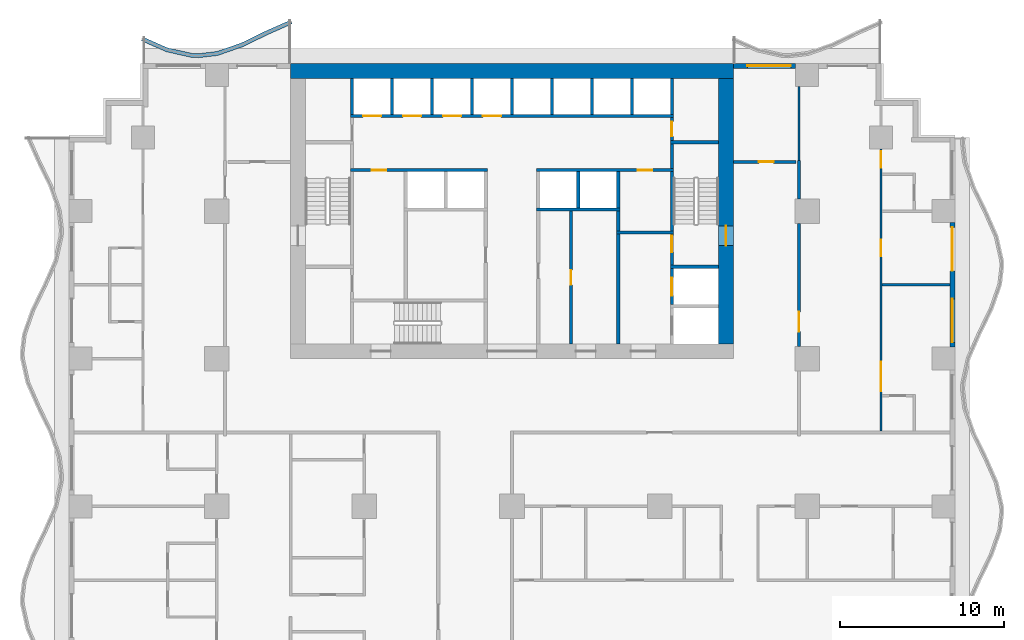
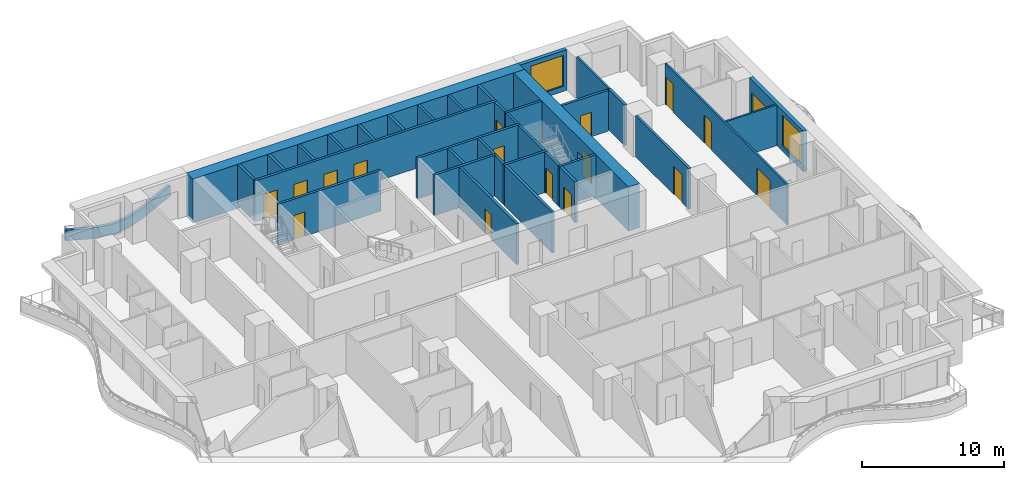
# One storey, part 6 of 14: 37 walls, 17 doors, 2 windows, 19 openings.
"""IFC4 building model written with IfcOpenShell, lengths in metres."""

from ifc_helpers import new_model, si_unit, direction, frame, frame_2d, origin, place, context, subcontext, project, spatial, polyline, rectangle, outline, extrude, material, layer, layer_set, type_object, element, fill, save


model = new_model("IFC4")

# Units and contexts
model_context = context("Model", 3, precision=1e-05, world=origin(), true_north=direction((0.0, 1.0)))
body_context = subcontext(model_context, "Body", "Model", "MODEL_VIEW")
ifc_project = project(units=[si_unit("LENGTHUNIT", "METRE"), si_unit("AREAUNIT", "SQUARE_METRE"), si_unit("VOLUMEUNIT", "CUBIC_METRE"), si_unit("PLANEANGLEUNIT", "RADIAN"), si_unit("MASSUNIT", "GRAM", prefix="KILO")], contexts=[model_context])

# Site, building, storey
site_placement = place(None, origin())
site = spatial("IfcSite", under=ifc_project, at=site_placement, CompositionType="ELEMENT")
building_placement = place(site_placement, origin())
building = spatial("IfcBuilding", under=site, at=building_placement, Name="Orbiselva Terraces", CompositionType="ELEMENT")
storey_placement = place(building_placement, frame((0.0, 0.0, 56.8)))
storey = spatial("IfcBuildingStorey", under=building, at=storey_placement, Name="L14", CompositionType="ELEMENT", Elevation=56.8)

# Wall, opening, door
ifc_material_1 = material(Name="Concrete C80/95", Category="concrete")
ifc_layer_1 = layer(ifc_material_1, 0.9)
ifc_layer_set_1 = layer_set([ifc_layer_1], Name="Concrete C80/95")
wall_type_1 = type_object("IfcWallType", Name="CORE WALL 900", PredefinedType="SHEAR", material=ifc_layer_set_1)
wall_1_placement = place(storey_placement, frame((13.05, 5.4, -0.3), z_axis=(0.0, 0.0, 1.0), x_axis=(0.0, 1.0, 0.0)))
wall_1 = element("IfcWall", 1, at=wall_1_placement, inside=storey, type_object=wall_type_1, Name="Core wall L14 east", PredefinedType="SHEAR", context=body_context, shape_type="SweptSolid", body=[
    extrude(rectangle(XDim=16.2, YDim=0.9, at=frame_2d((8.1, 0.0))), origin(), (0.0, 0.0, 1.0), 3.8),
])
opening_1_placement = place(wall_1_placement, frame((6.0, 0.0, 0.3)))
opening_1 = element("IfcOpeningElement", 2, at=opening_1_placement, cuts=wall_1, Name="Opening DS1200", PredefinedType="OPENING", context=body_context, shape_type="SweptSolid", body=[
    extrude(rectangle(XDim=1.2, YDim=2.2, at=frame_2d((0.6, 1.1))), frame((0.0, 0.46, 0.0), z_axis=(0.0, -1.0, 0.0), x_axis=(1.0, 0.0, 0.0)), (0.0, 0.0, 1.0), 0.92),
])
ifc_material_2 = material(Name="Steel fire door", Category="steel")
door_type_1 = type_object("IfcDoorType", Name="STAIR DOOR 1200", OperationType="NOTDEFINED", PredefinedType="DOOR", material=ifc_material_2)
door_1_placement = place(opening_1_placement, frame((1.2, 0.0, 0.0), z_axis=(0.0, 0.0, 1.0), x_axis=(-1.0, 0.0, 0.0)))
door_1 = element("IfcDoor", 3, at=door_1_placement, inside=storey, type_object=door_type_1, Name="L14 EXIT STAIR S2 door", OperationType="SINGLE_SWING_LEFT", OverallHeight=2.2, OverallWidth=1.2, PredefinedType="DOOR", context=body_context, shape_type="SweptSolid", body=[
    extrude(rectangle(XDim=1.2, YDim=2.2, at=frame_2d((0.6, 1.1))), frame((0.0, 0.025, 0.0), z_axis=(0.0, -1.0, 0.0), x_axis=(1.0, 0.0, 0.0)), (0.0, 0.0, 1.0), 0.05),
])
fill(opening_1, door_1)

# Wall
ifc_layer_2 = layer(ifc_material_1, 0.9)
ifc_layer_set_2 = layer_set([ifc_layer_2], Name="Concrete C80/95")
wall_type_2 = type_object("IfcWallType", Name="CORE WALL 900 EXTERNAL", PredefinedType="SHEAR", material=ifc_layer_set_2)
wall_2_placement = place(storey_placement, frame((13.5, 22.05, -0.3), z_axis=(0.0, 0.0, 1.0), x_axis=(-1.0, 0.0, 0.0)))
element("IfcWall", 4, at=wall_2_placement, inside=storey, type_object=wall_type_2, Name="Core wall L14 north", PredefinedType="SHEAR", context=body_context, shape_type="SweptSolid", body=[
    extrude(rectangle(XDim=27.0, YDim=0.9, at=frame_2d((13.5, 0.0))), origin(), (0.0, 0.0, 1.0), 3.8),
])

# Wall, opening, door
ifc_material_3 = material(Name="Masonry blockwork", Category="masonry")
ifc_layer_3 = layer(ifc_material_3, 0.2)
ifc_layer_set_3 = layer_set([ifc_layer_3], Name="Masonry blockwork")
wall_type_3 = type_object("IfcWallType", Name="CORE-WALL-PARTITION-200", PredefinedType="PARTITIONING", material=ifc_layer_set_3)
wall_3_placement = place(storey_placement, frame((3.6, 13.5, 0.0), z_axis=(0.0, 0.0, 1.0), x_axis=(0.0, -1.0, 0.0)))
wall_3 = element("IfcWall", 5, at=wall_3_placement, inside=storey, type_object=wall_type_3, Name="L14 core wall 28", PredefinedType="PARTITIONING", context=body_context, shape_type="SweptSolid", body=[
    extrude(rectangle(XDim=8.1, YDim=0.2, at=frame_2d((4.05, 0.0))), origin(), (0.0, 0.0, 1.0), 3.5),
])
opening_2_placement = place(wall_3_placement, frame((3.6, 0.0, 0.0)))
opening_2 = element("IfcOpeningElement", 6, at=opening_2_placement, cuts=wall_3, Name="Opening DR900", PredefinedType="OPENING", context=body_context, shape_type="SweptSolid", body=[
    extrude(rectangle(XDim=0.9, YDim=2.1, at=frame_2d((0.45, 1.05))), frame((0.0, 0.11, 0.0), z_axis=(0.0, -1.0, 0.0), x_axis=(1.0, 0.0, 0.0)), (0.0, 0.0, 1.0), 0.22),
])
door_type_2 = type_object("IfcDoorType", Name="ROOM DOOR 900", OperationType="NOTDEFINED", PredefinedType="DOOR", material=ifc_material_2)
door_2_placement = place(opening_2_placement, origin())
door_2 = element("IfcDoor", 7, at=door_2_placement, inside=storey, type_object=door_type_2, Name="L14 SERVICE ROOM door", OperationType="SINGLE_SWING_RIGHT", OverallHeight=2.1, OverallWidth=0.9, PredefinedType="DOOR", context=body_context, shape_type="SweptSolid", body=[
    extrude(rectangle(XDim=0.9, YDim=2.1, at=frame_2d((0.45, 1.05))), frame((0.0, 0.025, 0.0), z_axis=(0.0, -1.0, 0.0), x_axis=(1.0, 0.0, 0.0)), (0.0, 0.0, 1.0), 0.05),
])
fill(opening_2, door_2)

# Wall
wall_4_placement = place(storey_placement, frame((6.475, 12.3, 0.0), z_axis=(0.0, 0.0, 1.0), x_axis=(0.0, 1.0, 0.0)))
element("IfcWall", 8, at=wall_4_placement, inside=storey, type_object=wall_type_3, Name="L14 core wall 33", PredefinedType="PARTITIONING", context=body_context, shape_type="SweptSolid", body=[
    extrude(rectangle(XDim=1.2, YDim=0.2, at=frame_2d((0.6, 0.0))), origin(), (0.0, 0.0, 1.0), 3.5),
])

# Wall, opening, door
wall_5_placement = place(storey_placement, frame((9.75, 19.2, 0.0), z_axis=(0.0, 0.0, 1.0), x_axis=(0.0, -1.0, 0.0)))
wall_5 = element("IfcWall", 9, at=wall_5_placement, inside=storey, type_object=wall_type_3, Name="L14 core wall 44", PredefinedType="PARTITIONING", context=body_context, shape_type="SweptSolid", body=[
    extrude(rectangle(XDim=1.4, YDim=0.2, at=frame_2d((0.7, 0.0))), origin(), (0.0, 0.0, 1.0), 3.5),
])
opening_3_placement = place(wall_5_placement, frame((0.25, 0.0, 0.0)))
opening_3 = element("IfcOpeningElement", 10, at=opening_3_placement, cuts=wall_5, Name="Opening DR900", PredefinedType="OPENING", context=body_context, shape_type="SweptSolid", body=[
    extrude(rectangle(XDim=0.9, YDim=2.1, at=frame_2d((0.45, 1.05))), frame((0.0, 0.11, 0.0), z_axis=(0.0, -1.0, 0.0), x_axis=(1.0, 0.0, 0.0)), (0.0, 0.0, 1.0), 0.22),
])
door_3_placement = place(opening_3_placement, origin())
door_3 = element("IfcDoor", 11, at=door_3_placement, inside=storey, type_object=door_type_2, Name="L14 COMMS RISER ROOM door", OperationType="SINGLE_SWING_RIGHT", OverallHeight=2.1, OverallWidth=0.9, PredefinedType="DOOR", context=body_context, shape_type="SweptSolid", body=[
    extrude(rectangle(XDim=0.9, YDim=2.1, at=frame_2d((0.45, 1.05))), frame((0.0, 0.025, 0.0), z_axis=(0.0, -1.0, 0.0), x_axis=(1.0, 0.0, 0.0)), (0.0, 0.0, 1.0), 0.05),
])
fill(opening_3, door_3)

# Walls
ifc_material_4 = material(Name="Concrete C40/50", Category="concrete")
ifc_layer_4 = layer(ifc_material_4, 0.2)
ifc_layer_set_4 = layer_set([ifc_layer_4], Name="Concrete C40/50")
wall_type_4 = type_object("IfcWallType", Name="CORE-WALL-SHAFT-200", PredefinedType="PARTITIONING", material=ifc_layer_set_4)
for number, where, z_axis, x_axis, name in (
    (12, (-9.75, 19.4, 0.0), (0.0, 0.0, 1.0), (0.0, 1.0, 0.0), "L14 core wall 11"),
    (13, (-7.3125, 19.4, 0.0), (0.0, 0.0, 1.0), (0.0, 1.0, 0.0), "L14 core wall 12"),
    (14, (-4.875, 19.4, 0.0), (0.0, 0.0, 1.0), (0.0, 1.0, 0.0), "L14 core wall 16"),
    (15, (-2.4375, 19.4, 0.0), (0.0, 0.0, 1.0), (0.0, 1.0, 0.0), "L14 core wall 18"),
    (16, (0.0, 19.4, 0.0), (0.0, 0.0, 1.0), (0.0, 1.0, 0.0), "L14 core wall 22"),
    (17, (2.4375, 19.4, 0.0), (0.0, 0.0, 1.0), (0.0, 1.0, 0.0), "L14 core wall 27"),
    (18, (4.0375, 13.7, 0.0), (0.0, 0.0, 1.0), (0.0, 1.0, 0.0), "L14 core wall 29"),
    (19, (4.875, 19.4, 0.0), (0.0, 0.0, 1.0), (0.0, 1.0, 0.0), "L14 core wall 30"),
    (20, (6.475, 13.7, 0.0), (0.0, 0.0, 1.0), (0.0, 1.0, 0.0), "L14 core wall 34"),
    (21, (7.3125, 19.4, 0.0), (0.0, 0.0, 1.0), (0.0, 1.0, 0.0), "L14 core wall 35"),
    (22, (9.75, 19.4, 0.0), (0.0, 0.0, 1.0), (0.0, 1.0, 0.0), "L14 core wall 45"),
):
    element("IfcWall", number, at=place(storey_placement, frame(where, z_axis=z_axis, x_axis=x_axis)), inside=storey, type_object=wall_type_4, Name=name, PredefinedType="PARTITIONING", context=body_context, shape_type="SweptSolid", body=[
        extrude(rectangle(XDim=2.2, YDim=0.2, at=frame_2d((1.1, 0.0))), origin(), (0.0, 0.0, 1.0), 3.5),
    ])

# Wall, opening, door
ifc_material_5 = material(Name="Concrete C60/75", Category="concrete")
ifc_layer_5 = layer(ifc_material_5, 0.2)
ifc_layer_set_5 = layer_set([ifc_layer_5], Name="Concrete C60/75")
wall_type_5 = type_object("IfcWallType", Name="CORE-WALL-SHEAR-200", PredefinedType="SHEAR", material=ifc_layer_set_5)
wall_6_placement = place(storey_placement, frame((-1.5, 16.0, 0.0), z_axis=(0.0, 0.0, 1.0), x_axis=(-1.0, 0.0, 0.0)))
wall_6 = element("IfcWall", 23, at=wall_6_placement, inside=storey, type_object=wall_type_5, Name="L14 core wall 07", PredefinedType="SHEAR", context=body_context, shape_type="SweptSolid", body=[
    extrude(rectangle(XDim=8.35, YDim=0.2, at=frame_2d((4.175, 0.0))), origin(), (0.0, 0.0, 1.0), 3.5),
])
opening_4_placement = place(wall_6_placement, frame((6.1625, 0.0, 0.0)))
opening_4 = element("IfcOpeningElement", 24, at=opening_4_placement, cuts=wall_6, Name="Opening DR900", PredefinedType="OPENING", context=body_context, shape_type="SweptSolid", body=[
    extrude(rectangle(XDim=0.9, YDim=2.1, at=frame_2d((0.45, 1.05))), frame((0.0, 0.11, 0.0), z_axis=(0.0, -1.0, 0.0), x_axis=(1.0, 0.0, 0.0)), (0.0, 0.0, 1.0), 0.22),
])
door_4_placement = place(opening_4_placement, origin())
door_4 = element("IfcDoor", 25, at=door_4_placement, inside=storey, type_object=door_type_2, Name="L14 STAFF PANTRY door", OperationType="SINGLE_SWING_RIGHT", OverallHeight=2.1, OverallWidth=0.9, PredefinedType="DOOR", context=body_context, shape_type="SweptSolid", body=[
    extrude(rectangle(XDim=0.9, YDim=2.1, at=frame_2d((0.45, 1.05))), frame((0.0, 0.025, 0.0), z_axis=(0.0, -1.0, 0.0), x_axis=(1.0, 0.0, 0.0)), (0.0, 0.0, 1.0), 0.05),
])
fill(opening_4, door_4)

# Wall, openings, doors
wall_7_placement = place(storey_placement, frame((-9.85, 19.3, 0.0), z_axis=(0.0, 0.0, 1.0), x_axis=(1.0, 0.0, 0.0)))
wall_7 = element("IfcWall", 26, at=wall_7_placement, inside=storey, type_object=wall_type_5, Name="L14 core wall 10", PredefinedType="SHEAR", context=body_context, shape_type="SweptSolid", body=[
    extrude(rectangle(XDim=19.7, YDim=0.2, at=frame_2d((9.85, 0.0))), origin(), (0.0, 0.0, 1.0), 3.5),
])
opening_5_placement = place(wall_7_placement, frame((0.76875, 0.0, 0.0)))
opening_5 = element("IfcOpeningElement", 27, at=opening_5_placement, cuts=wall_7, Name="Opening LD-LR1", PredefinedType="OPENING", context=body_context, shape_type="SweptSolid", body=[
    extrude(rectangle(XDim=1.1, YDim=2.1, at=frame_2d((0.55, 1.05))), frame((0.0, 0.11, 0.0), z_axis=(0.0, -1.0, 0.0), x_axis=(1.0, 0.0, 0.0)), (0.0, 0.0, 1.0), 0.22),
])
opening_6_placement = place(wall_7_placement, frame((3.20625, 0.0, 0.0)))
opening_6 = element("IfcOpeningElement", 28, at=opening_6_placement, cuts=wall_7, Name="Opening LD-LR2", PredefinedType="OPENING", context=body_context, shape_type="SweptSolid", body=[
    extrude(rectangle(XDim=1.1, YDim=2.1, at=frame_2d((0.55, 1.05))), frame((0.0, 0.11, 0.0), z_axis=(0.0, -1.0, 0.0), x_axis=(1.0, 0.0, 0.0)), (0.0, 0.0, 1.0), 0.22),
])
opening_7_placement = place(wall_7_placement, frame((5.64375, 0.0, 0.0)))
opening_7 = element("IfcOpeningElement", 29, at=opening_7_placement, cuts=wall_7, Name="Opening LD-LR3", PredefinedType="OPENING", context=body_context, shape_type="SweptSolid", body=[
    extrude(rectangle(XDim=1.1, YDim=2.1, at=frame_2d((0.55, 1.05))), frame((0.0, 0.11, 0.0), z_axis=(0.0, -1.0, 0.0), x_axis=(1.0, 0.0, 0.0)), (0.0, 0.0, 1.0), 0.22),
])
opening_8_placement = place(wall_7_placement, frame((8.08125, 0.0, 0.0)))
opening_8 = element("IfcOpeningElement", 30, at=opening_8_placement, cuts=wall_7, Name="Opening LD-LR4", PredefinedType="OPENING", context=body_context, shape_type="SweptSolid", body=[
    extrude(rectangle(XDim=1.1, YDim=2.1, at=frame_2d((0.55, 1.05))), frame((0.0, 0.11, 0.0), z_axis=(0.0, -1.0, 0.0), x_axis=(1.0, 0.0, 0.0)), (0.0, 0.0, 1.0), 0.22),
])
ifc_material_6 = material(Name="Stainless steel landing door", Category="steel")
door_type_3 = type_object("IfcDoorType", Name="LANDING DOOR 1100", OperationType="SLIDING_TO_LEFT", PredefinedType="DOOR", material=ifc_material_6)
door_5_placement = place(opening_5_placement, origin())
door_5 = element("IfcDoor", 31, at=door_5_placement, inside=storey, type_object=door_type_3, Name="L14 landing door LR1", OperationType="SLIDING_TO_LEFT", OverallHeight=2.1, OverallWidth=1.1, PredefinedType="DOOR", context=body_context, shape_type="SweptSolid", body=[
    extrude(rectangle(XDim=1.1, YDim=2.1, at=frame_2d((0.55, 1.05))), frame((0.0, 0.025, 0.0), z_axis=(0.0, -1.0, 0.0), x_axis=(1.0, 0.0, 0.0)), (0.0, 0.0, 1.0), 0.05),
])
fill(opening_5, door_5)
door_6_placement = place(opening_6_placement, origin())
door_6 = element("IfcDoor", 32, at=door_6_placement, inside=storey, type_object=door_type_3, Name="L14 landing door LR2", OperationType="SLIDING_TO_LEFT", OverallHeight=2.1, OverallWidth=1.1, PredefinedType="DOOR", context=body_context, shape_type="SweptSolid", body=[
    extrude(rectangle(XDim=1.1, YDim=2.1, at=frame_2d((0.55, 1.05))), frame((0.0, 0.025, 0.0), z_axis=(0.0, -1.0, 0.0), x_axis=(1.0, 0.0, 0.0)), (0.0, 0.0, 1.0), 0.05),
])
fill(opening_6, door_6)
door_7_placement = place(opening_7_placement, origin())
door_7 = element("IfcDoor", 33, at=door_7_placement, inside=storey, type_object=door_type_3, Name="L14 landing door LR3", OperationType="SLIDING_TO_LEFT", OverallHeight=2.1, OverallWidth=1.1, PredefinedType="DOOR", context=body_context, shape_type="SweptSolid", body=[
    extrude(rectangle(XDim=1.1, YDim=2.1, at=frame_2d((0.55, 1.05))), frame((0.0, 0.025, 0.0), z_axis=(0.0, -1.0, 0.0), x_axis=(1.0, 0.0, 0.0)), (0.0, 0.0, 1.0), 0.05),
])
fill(opening_7, door_7)
door_8_placement = place(opening_8_placement, origin())
door_8 = element("IfcDoor", 34, at=door_8_placement, inside=storey, type_object=door_type_3, Name="L14 landing door LR4", OperationType="SLIDING_TO_LEFT", OverallHeight=2.1, OverallWidth=1.1, PredefinedType="DOOR", context=body_context, shape_type="SweptSolid", body=[
    extrude(rectangle(XDim=1.1, YDim=2.1, at=frame_2d((0.55, 1.05))), frame((0.0, 0.025, 0.0), z_axis=(0.0, -1.0, 0.0), x_axis=(1.0, 0.0, 0.0)), (0.0, 0.0, 1.0), 0.05),
])
fill(opening_8, door_8)

# Wall
wall_8_placement = place(storey_placement, frame((1.5, 13.6, 0.0), z_axis=(0.0, 0.0, 1.0), x_axis=(1.0, 0.0, 0.0)))
element("IfcWall", 35, at=wall_8_placement, inside=storey, type_object=wall_type_5, Name="L14 core wall 24", PredefinedType="SHEAR", context=body_context, shape_type="SweptSolid", body=[
    extrude(rectangle(XDim=5.075, YDim=0.2, at=frame_2d((2.5375, 0.0))), origin(), (0.0, 0.0, 1.0), 3.5),
])

# Wall, opening, door
wall_9_placement = place(storey_placement, frame((9.85, 16.0, 0.0), z_axis=(0.0, 0.0, 1.0), x_axis=(-1.0, 0.0, 0.0)))
wall_9 = element("IfcWall", 36, at=wall_9_placement, inside=storey, type_object=wall_type_5, Name="L14 core wall 26", PredefinedType="SHEAR", context=body_context, shape_type="SweptSolid", body=[
    extrude(rectangle(XDim=8.35, YDim=0.2, at=frame_2d((4.175, 0.0))), origin(), (0.0, 0.0, 1.0), 3.5),
])
opening_9_placement = place(wall_9_placement, frame((1.2875, 0.0, 0.0)))
opening_9 = element("IfcOpeningElement", 37, at=opening_9_placement, cuts=wall_9, Name="Opening DR900", PredefinedType="OPENING", context=body_context, shape_type="SweptSolid", body=[
    extrude(rectangle(XDim=0.9, YDim=2.1, at=frame_2d((0.45, 1.05))), frame((0.0, 0.11, 0.0), z_axis=(0.0, -1.0, 0.0), x_axis=(1.0, 0.0, 0.0)), (0.0, 0.0, 1.0), 0.22),
])
door_9_placement = place(opening_9_placement, origin())
door_9 = element("IfcDoor", 38, at=door_9_placement, inside=storey, type_object=door_type_2, Name="L14 PIPE RISER ROOM door", OperationType="SINGLE_SWING_LEFT", OverallHeight=2.1, OverallWidth=0.9, PredefinedType="DOOR", context=body_context, shape_type="SweptSolid", body=[
    extrude(rectangle(XDim=0.9, YDim=2.1, at=frame_2d((0.45, 1.05))), frame((0.0, 0.025, 0.0), z_axis=(0.0, -1.0, 0.0), x_axis=(1.0, 0.0, 0.0)), (0.0, 0.0, 1.0), 0.05),
])
fill(opening_9, door_9)

# Walls
wall_10_placement = place(storey_placement, frame((6.475, 5.4, 0.0), z_axis=(0.0, 0.0, 1.0), x_axis=(0.0, 1.0, 0.0)))
element("IfcWall", 39, at=wall_10_placement, inside=storey, type_object=wall_type_5, Name="L14 core wall 31", PredefinedType="SHEAR", context=body_context, shape_type="SweptSolid", body=[
    extrude(rectangle(XDim=6.7, YDim=0.2, at=frame_2d((3.35, 0.0))), origin(), (0.0, 0.0, 1.0), 3.5),
])
wall_11_placement = place(storey_placement, frame((6.375, 12.2, 0.0), z_axis=(0.0, 0.0, 1.0), x_axis=(1.0, 0.0, 0.0)))
element("IfcWall", 40, at=wall_11_placement, inside=storey, type_object=wall_type_5, Name="L14 core wall 32", PredefinedType="SHEAR", context=body_context, shape_type="SweptSolid", body=[
    extrude(rectangle(XDim=3.475, YDim=0.2, at=frame_2d((1.7375, 0.0))), origin(), (0.0, 0.0, 1.0), 3.5),
])

# Wall, opening, door
wall_12_placement = place(storey_placement, frame((9.75, 7.8, 0.0), z_axis=(0.0, 0.0, 1.0), x_axis=(0.0, 1.0, 0.0)))
wall_12 = element("IfcWall", 41, at=wall_12_placement, inside=storey, type_object=wall_type_5, Name="L14 core wall 38", PredefinedType="SHEAR", context=body_context, shape_type="SweptSolid", body=[
    extrude(rectangle(XDim=2.2, YDim=0.2, at=frame_2d((1.1, 0.0))), origin(), (0.0, 0.0, 1.0), 3.5),
])
opening_10_placement = place(wall_12_placement, frame((0.55, 0.0, 0.0)))
opening_10 = element("IfcOpeningElement", 42, at=opening_10_placement, cuts=wall_12, Name="Opening LD-FF2", PredefinedType="OPENING", context=body_context, shape_type="SweptSolid", body=[
    extrude(rectangle(XDim=1.1, YDim=2.1, at=frame_2d((0.55, 1.05))), frame((0.0, 0.11, 0.0), z_axis=(0.0, -1.0, 0.0), x_axis=(1.0, 0.0, 0.0)), (0.0, 0.0, 1.0), 0.22),
])
door_10_placement = place(opening_10_placement, origin())
door_10 = element("IfcDoor", 43, at=door_10_placement, inside=storey, type_object=door_type_3, Name="L14 landing door FF2", OperationType="SLIDING_TO_RIGHT", OverallHeight=2.1, OverallWidth=1.1, PredefinedType="DOOR", context=body_context, shape_type="SweptSolid", body=[
    extrude(rectangle(XDim=1.1, YDim=2.1, at=frame_2d((0.55, 1.05))), frame((0.0, 0.025, 0.0), z_axis=(0.0, -1.0, 0.0), x_axis=(1.0, 0.0, 0.0)), (0.0, 0.0, 1.0), 0.05),
])
fill(opening_10, door_10)

# Wall
wall_13_placement = place(storey_placement, frame((9.65, 10.1, 0.0), z_axis=(0.0, 0.0, 1.0), x_axis=(1.0, 0.0, 0.0)))
element("IfcWall", 44, at=wall_13_placement, inside=storey, type_object=wall_type_5, Name="L14 core wall 39", PredefinedType="SHEAR", context=body_context, shape_type="SweptSolid", body=[
    extrude(rectangle(XDim=2.95, YDim=0.2, at=frame_2d((1.475, 0.0))), origin(), (0.0, 0.0, 1.0), 3.5),
])

# Wall, opening, door
wall_14_placement = place(storey_placement, frame((9.75, 12.1, 0.0), z_axis=(0.0, 0.0, 1.0), x_axis=(0.0, -1.0, 0.0)))
wall_14 = element("IfcWall", 45, at=wall_14_placement, inside=storey, type_object=wall_type_5, Name="L14 core wall 40", PredefinedType="SHEAR", context=body_context, shape_type="SweptSolid", body=[
    extrude(rectangle(XDim=1.9, YDim=0.2, at=frame_2d((0.95, 0.0))), origin(), (0.0, 0.0, 1.0), 3.5),
])
opening_11_placement = place(wall_14_placement, frame((0.1, 0.0, 0.0)))
opening_11 = element("IfcOpeningElement", 46, at=opening_11_placement, cuts=wall_14, Name="Opening DS1000", PredefinedType="OPENING", context=body_context, shape_type="SweptSolid", body=[
    extrude(rectangle(XDim=1.0, YDim=2.2, at=frame_2d((0.5, 1.1))), frame((0.0, 0.11, 0.0), z_axis=(0.0, -1.0, 0.0), x_axis=(1.0, 0.0, 0.0)), (0.0, 0.0, 1.0), 0.22),
])
door_type_4 = type_object("IfcDoorType", Name="STAIR DOOR 1000", OperationType="NOTDEFINED", PredefinedType="DOOR", material=ifc_material_2)
door_11_placement = place(opening_11_placement, origin())
door_11 = element("IfcDoor", 47, at=door_11_placement, inside=storey, type_object=door_type_4, Name="L14 FIRE-FIGHTING LOBBY TO EXIT STAIR S2 door", OperationType="SINGLE_SWING_LEFT", OverallHeight=2.2, OverallWidth=1.0, PredefinedType="DOOR", context=body_context, shape_type="SweptSolid", body=[
    extrude(rectangle(XDim=1.0, YDim=2.2, at=frame_2d((0.5, 1.1))), frame((0.0, 0.025, 0.0), z_axis=(0.0, -1.0, 0.0), x_axis=(1.0, 0.0, 0.0)), (0.0, 0.0, 1.0), 0.05),
])
fill(opening_11, door_11)

# Walls
wall_15_placement = place(storey_placement, frame((9.75, 12.3, 0.0), z_axis=(0.0, 0.0, 1.0), x_axis=(0.0, 1.0, 0.0)))
element("IfcWall", 48, at=wall_15_placement, inside=storey, type_object=wall_type_5, Name="L14 core wall 41", PredefinedType="SHEAR", context=body_context, shape_type="SweptSolid", body=[
    extrude(rectangle(XDim=3.6, YDim=0.2, at=frame_2d((1.8, 0.0))), origin(), (0.0, 0.0, 1.0), 3.5),
])
wall_16_placement = place(storey_placement, frame((9.75, 16.1, 0.0), z_axis=(0.0, 0.0, 1.0), x_axis=(0.0, 1.0, 0.0)))
element("IfcWall", 49, at=wall_16_placement, inside=storey, type_object=wall_type_5, Name="L14 core wall 42", PredefinedType="SHEAR", context=body_context, shape_type="SweptSolid", body=[
    extrude(rectangle(XDim=1.5, YDim=0.2, at=frame_2d((0.75, 0.0))), origin(), (0.0, 0.0, 1.0), 3.5),
])
wall_17_placement = place(storey_placement, frame((9.65, 17.7, 0.0), z_axis=(0.0, 0.0, 1.0), x_axis=(1.0, 0.0, 0.0)))
element("IfcWall", 50, at=wall_17_placement, inside=storey, type_object=wall_type_5, Name="L14 core wall 43", PredefinedType="SHEAR", context=body_context, shape_type="SweptSolid", body=[
    extrude(rectangle(XDim=2.95, YDim=0.2, at=frame_2d((1.475, 0.0))), origin(), (0.0, 0.0, 1.0), 3.5),
])
ifc_layer_6 = layer(ifc_material_4, 0.25)
ifc_layer_set_6 = layer_set([ifc_layer_6], Name="Concrete C40/50")
wall_type_6 = type_object("IfcWallType", Name="ENV-PLANTER-250x900", PredefinedType="USERDEFINED", material=ifc_layer_set_6)
wall_18_placement = place(storey_placement, origin())
element("IfcWall", 51, at=wall_18_placement, inside=storey, type_object=wall_type_6, Name="Balcony planter L14 NW", ObjectType="PLANTER", PredefinedType="USERDEFINED", context=body_context, shape_type="SweptSolid", body=[
    extrude(outline(polyline([(-13.5, 25.148528), (-15.0, 24.487721), (-16.5, 23.755211), (-18.0, 23.230792), (-19.125, 23.1), (-19.5, 23.114774), (-21.0, 23.451472), (-22.5, 24.112279), (-22.600788, 23.883496), (-21.078508, 23.212874), (-19.532565, 22.865863), (-19.115428, 22.849429), (-17.943629, 22.985662), (-16.40356, 23.524089), (-14.894714, 24.260919), (-13.399212, 24.919745), (-13.5, 25.148528)])), origin(), (0.0, 0.0, 1.0), 0.9),
])

# Wall, openings, door, window
ifc_material_7 = material(Name="Terracotta cladding on masonry backing", Category="masonry")
ifc_layer_7 = layer(ifc_material_7, 0.3)
ifc_layer_set_7 = layer_set([ifc_layer_7], Name="Terracotta cladding on masonry backing")
wall_type_7 = type_object("IfcWallType", Name="ENV-WALL-TERRACOTTA-300", PredefinedType="SOLIDWALL", material=ifc_layer_set_7)
wall_19_placement = place(storey_placement, frame((26.85, 12.8, 0.0), z_axis=(0.0, 0.0, 1.0), x_axis=(0.0, -1.0, 0.0)))
wall_19 = element("IfcWall", 52, at=wall_19_placement, inside=storey, type_object=wall_type_7, Name="Facade wall L14 E", PredefinedType="SOLIDWALL", context=body_context, shape_type="SweptSolid", body=[
    extrude(rectangle(XDim=7.6, YDim=0.3, at=frame_2d((3.8, 0.0))), origin(), (0.0, 0.0, 1.0), 3.5),
])
opening_12_placement = place(wall_19_placement, frame((4.65, 0.0, 0.45)))
opening_12 = element("IfcOpeningElement", 53, at=opening_12_placement, cuts=wall_19, Name="Opening WN3", PredefinedType="OPENING", context=body_context, shape_type="SweptSolid", body=[
    extrude(rectangle(XDim=2.65, YDim=2.65, at=frame_2d((1.325, 1.325))), frame((0.0, 0.16, 0.0), z_axis=(0.0, -1.0, 0.0), x_axis=(1.0, 0.0, 0.0)), (0.0, 0.0, 1.0), 0.32),
])
opening_13_placement = place(wall_19_placement, frame((0.3, 0.0, 0.0)))
opening_13 = element("IfcOpeningElement", 54, at=opening_13_placement, cuts=wall_19, Name="Opening Z1-E-E07", PredefinedType="OPENING", context=body_context, shape_type="SweptSolid", body=[
    extrude(rectangle(XDim=2.65, YDim=2.4, at=frame_2d((1.325, 1.2))), frame((0.0, 0.16, 0.0), z_axis=(0.0, -1.0, 0.0), x_axis=(1.0, 0.0, 0.0)), (0.0, 0.0, 1.0), 0.32),
])
ifc_material_8 = material(Name="Clear low-e glazing in aluminium frame", Category="aluminium")
door_type_5 = type_object("IfcDoorType", Name="BALCONY DOOR 2650 X 2400", OperationType="DOUBLE_DOOR_SLIDING", PredefinedType="DOOR", material=ifc_material_8)
door_12_placement = place(opening_13_placement, origin())
door_12 = element("IfcDoor", 55, at=door_12_placement, inside=storey, type_object=door_type_5, Name="Z1-E-E07", OperationType="SINGLE_SWING_LEFT", OverallHeight=2.4, OverallWidth=2.65, PredefinedType="DOOR", context=body_context, shape_type="SweptSolid", body=[
    extrude(rectangle(XDim=2.65, YDim=2.4, at=frame_2d((1.325, 1.2))), frame((0.0, 0.025, 0.0), z_axis=(0.0, -1.0, 0.0), x_axis=(1.0, 0.0, 0.0)), (0.0, 0.0, 1.0), 0.05),
])
fill(opening_13, door_12)
window_type = type_object("IfcWindowType", Name="WINDOW 2650 X 2650 S450", PartitioningType="TRIPLE_PANEL_VERTICAL", PredefinedType="WINDOW", material=ifc_material_8)
window_1_placement = place(opening_12_placement, origin())
window_1 = element("IfcWindow", 56, at=window_1_placement, inside=storey, type_object=window_type, Name="Window L14 E", OverallHeight=2.65, OverallWidth=2.65, PartitioningType="SINGLE_PANEL", PredefinedType="WINDOW", context=body_context, shape_type="SweptSolid", body=[
    extrude(rectangle(XDim=2.65, YDim=2.65, at=frame_2d((1.325, 1.325))), frame((0.0, 0.03, 0.0), z_axis=(0.0, -1.0, 0.0), x_axis=(1.0, 0.0, 0.0)), (0.0, 0.0, 1.0), 0.06),
])
fill(opening_12, window_1)

# Wall, opening, window
wall_20_placement = place(storey_placement, frame((13.5, 22.35, 0.0), z_axis=(0.0, 0.0, 1.0), x_axis=(1.0, 0.0, 0.0)))
wall_20 = element("IfcWall", 57, at=wall_20_placement, inside=storey, type_object=wall_type_7, Name="Facade wall L14 NE", PredefinedType="SOLIDWALL", context=body_context, shape_type="SweptSolid", body=[
    extrude(rectangle(XDim=3.8, YDim=0.3, at=frame_2d((1.9, 0.0))), origin(), (0.0, 0.0, 1.0), 3.5),
])
opening_14_placement = place(wall_20_placement, frame((0.85, 0.0, 0.45)))
opening_14 = element("IfcOpeningElement", 58, at=opening_14_placement, cuts=wall_20, Name="Opening WN3", PredefinedType="OPENING", context=body_context, shape_type="SweptSolid", body=[
    extrude(rectangle(XDim=2.65, YDim=2.65, at=frame_2d((1.325, 1.325))), frame((0.0, 0.16, 0.0), z_axis=(0.0, -1.0, 0.0), x_axis=(1.0, 0.0, 0.0)), (0.0, 0.0, 1.0), 0.32),
])
window_2_placement = place(opening_14_placement, origin())
window_2 = element("IfcWindow", 59, at=window_2_placement, inside=storey, type_object=window_type, Name="Window L14 NE", OverallHeight=2.65, OverallWidth=2.65, PartitioningType="SINGLE_PANEL", PredefinedType="WINDOW", context=body_context, shape_type="SweptSolid", body=[
    extrude(rectangle(XDim=2.65, YDim=2.65, at=frame_2d((1.325, 1.325))), frame((0.0, 0.03, 0.0), z_axis=(0.0, -1.0, 0.0), x_axis=(1.0, 0.0, 0.0)), (0.0, 0.0, 1.0), 0.06),
])
fill(opening_14, window_2)

# Wall, opening, door
ifc_material_9 = material(Name="Plasterboard on steel stud partition", Category="steel")
ifc_layer_8 = layer(ifc_material_9, 0.2)
ifc_layer_set_8 = layer_set([ifc_layer_8], Name="Plasterboard on steel stud partition")
wall_type_8 = type_object("IfcWallType", Name="UNIT-ENTRANCE-WALL-200", PredefinedType="PARTITIONING", material=ifc_layer_set_8)
wall_21_placement = place(storey_placement, frame((13.5, 16.5, 0.0), z_axis=(0.0, 0.0, 1.0), x_axis=(1.0, 0.0, 0.0)))
wall_21 = element("IfcWall", 60, at=wall_21_placement, inside=storey, type_object=wall_type_8, Name="PARTITION L14-043", PredefinedType="PARTITIONING", context=body_context, shape_type="SweptSolid", body=[
    extrude(rectangle(XDim=3.825, YDim=0.2, at=frame_2d((1.9125, 0.0))), origin(), (0.0, 0.0, 1.0), 3.5),
])
opening_15_placement = place(wall_21_placement, frame((1.55, 0.0, 0.0)))
opening_15 = element("IfcOpeningElement", 61, at=opening_15_placement, cuts=wall_21, Name="Opening Z1-E-02", PredefinedType="OPENING", context=body_context, shape_type="SweptSolid", body=[
    extrude(rectangle(XDim=0.9, YDim=2.1, at=frame_2d((0.45, 1.05))), frame((0.0, 0.11, 0.0), z_axis=(0.0, -1.0, 0.0), x_axis=(1.0, 0.0, 0.0)), (0.0, 0.0, 1.0), 0.22),
])
ifc_material_10 = material(Name="Painted timber door leaf", Category="wood")
door_type_6 = type_object("IfcDoorType", Name="SERVICE DOOR 900", OperationType="NOTDEFINED", PredefinedType="DOOR", material=ifc_material_10)
door_13_placement = place(opening_15_placement, origin())
door_13 = element("IfcDoor", 62, at=door_13_placement, inside=storey, type_object=door_type_6, Name="Z1-E-02", OperationType="SINGLE_SWING_RIGHT", OverallHeight=2.1, OverallWidth=0.9, PredefinedType="DOOR", context=body_context, shape_type="SweptSolid", body=[
    extrude(rectangle(XDim=0.9, YDim=2.1, at=frame_2d((0.45, 1.05))), frame((0.0, 0.025, 0.0), z_axis=(0.0, -1.0, 0.0), x_axis=(1.0, 0.0, 0.0)), (0.0, 0.0, 1.0), 0.05),
])
fill(opening_15, door_13)

wall_22_placement = place(storey_placement, frame((17.5, 12.75, 0.0), z_axis=(0.0, 0.0, 1.0), x_axis=(0.0, -1.0, 0.0)))
wall_22 = element("IfcWall", 63, at=wall_22_placement, inside=storey, type_object=wall_type_8, Name="PARTITION L14-078", PredefinedType="PARTITIONING", context=body_context, shape_type="SweptSolid", body=[
    extrude(rectangle(XDim=7.5, YDim=0.2, at=frame_2d((3.75, 0.0))), origin(), (0.0, 0.0, 1.0), 3.5),
])
opening_16_placement = place(wall_22_placement, frame((5.4, 0.0, 0.0)))
opening_16 = element("IfcOpeningElement", 64, at=opening_16_placement, cuts=wall_22, Name="Opening Z1-E-09", PredefinedType="OPENING", context=body_context, shape_type="SweptSolid", body=[
    extrude(rectangle(XDim=1.2, YDim=2.4, at=frame_2d((0.6, 1.2))), frame((0.0, 0.11, 0.0), z_axis=(0.0, -1.0, 0.0), x_axis=(1.0, 0.0, 0.0)), (0.0, 0.0, 1.0), 0.22),
])
door_type_7 = type_object("IfcDoorType", Name="ENTRANCE DOOR 1200", OperationType="NOTDEFINED", PredefinedType="DOOR", material=ifc_material_10)
door_14_placement = place(opening_16_placement, origin())
door_14 = element("IfcDoor", 65, at=door_14_placement, inside=storey, type_object=door_type_7, Name="Z1-E-09", OperationType="SINGLE_SWING_RIGHT", OverallHeight=2.4, OverallWidth=1.2, PredefinedType="DOOR", context=body_context, shape_type="SweptSolid", body=[
    extrude(rectangle(XDim=1.2, YDim=2.4, at=frame_2d((0.6, 1.2))), frame((0.0, 0.025, 0.0), z_axis=(0.0, -1.0, 0.0), x_axis=(1.0, 0.0, 0.0)), (0.0, 0.0, 1.0), 0.05),
])
fill(opening_16, door_14)

# Walls
wall_23_placement = place(storey_placement, frame((17.5, 14.25, 0.0), z_axis=(0.0, 0.0, 1.0), x_axis=(0.0, 1.0, 0.0)))
element("IfcWall", 66, at=wall_23_placement, inside=storey, type_object=wall_type_8, Name="PARTITION L14-079", PredefinedType="PARTITIONING", context=body_context, shape_type="SweptSolid", body=[
    extrude(rectangle(XDim=2.35, YDim=0.2, at=frame_2d((1.175, 0.0))), origin(), (0.0, 0.0, 1.0), 3.5),
])
ifc_layer_9 = layer(ifc_material_9, 0.15)
ifc_layer_set_9 = layer_set([ifc_layer_9], Name="Plasterboard on steel stud partition")
wall_type_9 = type_object("IfcWallType", Name="UNIT-PARTITION-150", PredefinedType="PARTITIONING", material=ifc_layer_set_9)
wall_24_placement = place(storey_placement, frame((22.575, 9.0, 0.0), z_axis=(0.0, 0.0, 1.0), x_axis=(1.0, 0.0, 0.0)))
element("IfcWall", 67, at=wall_24_placement, inside=storey, type_object=wall_type_9, Name="PARTITION L14-038", PredefinedType="PARTITIONING", context=body_context, shape_type="SweptSolid", body=[
    extrude(rectangle(XDim=4.125, YDim=0.15, at=frame_2d((2.0625, 0.0))), origin(), (0.0, 0.0, 1.0), 3.5),
])
wall_25_placement = place(storey_placement, frame((17.5, 16.4, 0.0), z_axis=(0.0, 0.0, 1.0), x_axis=(0.0, 1.0, 0.0)))
element("IfcWall", 68, at=wall_25_placement, inside=storey, type_object=wall_type_9, Name="PARTITION L14-080", PredefinedType="PARTITIONING", context=body_context, shape_type="SweptSolid", body=[
    extrude(rectangle(XDim=4.7, YDim=0.15, at=frame_2d((2.35, 0.0))), origin(), (0.0, 0.0, 1.0), 3.5),
])

# Wall, openings, doors
wall_26_placement = place(storey_placement, frame((22.5, 17.3, 0.0), z_axis=(0.0, 0.0, 1.0), x_axis=(0.0, -1.0, 0.0)))
wall_26 = element("IfcWall", 69, at=wall_26_placement, inside=storey, type_object=wall_type_9, Name="PARTITION L14-086", PredefinedType="PARTITIONING", context=body_context, shape_type="SweptSolid", body=[
    extrude(rectangle(XDim=17.2, YDim=0.15, at=frame_2d((8.6, 0.0))), origin(), (0.0, 0.0, 1.0), 3.5),
])
opening_17_placement = place(wall_26_placement, frame((13.0, 0.0, 0.0)))
opening_17 = element("IfcOpeningElement", 70, at=opening_17_placement, cuts=wall_26, Name="Opening Z1-E-10", PredefinedType="OPENING", context=body_context, shape_type="SweptSolid", body=[
    extrude(rectangle(XDim=1.8, YDim=2.4, at=frame_2d((0.9, 1.2))), frame((0.0, 0.085, 0.0), z_axis=(0.0, -1.0, 0.0), x_axis=(1.0, 0.0, 0.0)), (0.0, 0.0, 1.0), 0.17),
])
opening_18_placement = place(wall_26_placement, frame((5.55, 0.0, 0.0)))
opening_18 = element("IfcOpeningElement", 71, at=opening_18_placement, cuts=wall_26, Name="Opening Z1-E-12", PredefinedType="OPENING", context=body_context, shape_type="SweptSolid", body=[
    extrude(rectangle(XDim=1.0, YDim=2.4, at=frame_2d((0.5, 1.2))), frame((0.0, 0.085, 0.0), z_axis=(0.0, -1.0, 0.0), x_axis=(1.0, 0.0, 0.0)), (0.0, 0.0, 1.0), 0.17),
])
opening_19_placement = place(wall_26_placement, frame((0.15, 0.0, 0.0)))
opening_19 = element("IfcOpeningElement", 72, at=opening_19_placement, cuts=wall_26, Name="Opening Z1-E-13", PredefinedType="OPENING", context=body_context, shape_type="SweptSolid", body=[
    extrude(rectangle(XDim=1.0, YDim=2.4, at=frame_2d((0.5, 1.2))), frame((0.0, 0.085, 0.0), z_axis=(0.0, -1.0, 0.0), x_axis=(1.0, 0.0, 0.0)), (0.0, 0.0, 1.0), 0.17),
])
door_type_8 = type_object("IfcDoorType", Name="DOUBLE DOOR 1800", OperationType="NOTDEFINED", PredefinedType="DOOR", material=ifc_material_10)
door_15_placement = place(opening_17_placement, origin())
door_15 = element("IfcDoor", 73, at=door_15_placement, inside=storey, type_object=door_type_8, Name="Z1-E-10", OperationType="DOUBLE_DOOR_SINGLE_SWING", OverallHeight=2.4, OverallWidth=1.8, PredefinedType="DOOR", context=body_context, shape_type="SweptSolid", body=[
    extrude(rectangle(XDim=1.8, YDim=2.4, at=frame_2d((0.9, 1.2))), frame((0.0, 0.025, 0.0), z_axis=(0.0, -1.0, 0.0), x_axis=(1.0, 0.0, 0.0)), (0.0, 0.0, 1.0), 0.05),
])
fill(opening_17, door_15)
door_type_9 = type_object("IfcDoorType", Name="ROOM DOOR 1000", OperationType="NOTDEFINED", PredefinedType="DOOR", material=ifc_material_10)
door_16_placement = place(opening_18_placement, origin())
door_16 = element("IfcDoor", 74, at=door_16_placement, inside=storey, type_object=door_type_9, Name="Z1-E-12", OperationType="SINGLE_SWING_LEFT", OverallHeight=2.4, OverallWidth=1.0, PredefinedType="DOOR", context=body_context, shape_type="SweptSolid", body=[
    extrude(rectangle(XDim=1.0, YDim=2.4, at=frame_2d((0.5, 1.2))), frame((0.0, 0.025, 0.0), z_axis=(0.0, -1.0, 0.0), x_axis=(1.0, 0.0, 0.0)), (0.0, 0.0, 1.0), 0.05),
])
fill(opening_18, door_16)
door_17_placement = place(opening_19_placement, origin())
door_17 = element("IfcDoor", 75, at=door_17_placement, inside=storey, type_object=door_type_9, Name="Z1-E-13", OperationType="SINGLE_SWING_LEFT", OverallHeight=2.4, OverallWidth=1.0, PredefinedType="DOOR", context=body_context, shape_type="SweptSolid", body=[
    extrude(rectangle(XDim=1.0, YDim=2.4, at=frame_2d((0.5, 1.2))), frame((0.0, 0.025, 0.0), z_axis=(0.0, -1.0, 0.0), x_axis=(1.0, 0.0, 0.0)), (0.0, 0.0, 1.0), 0.05),
])
fill(opening_19, door_17)

save(model, "model.ifc")
